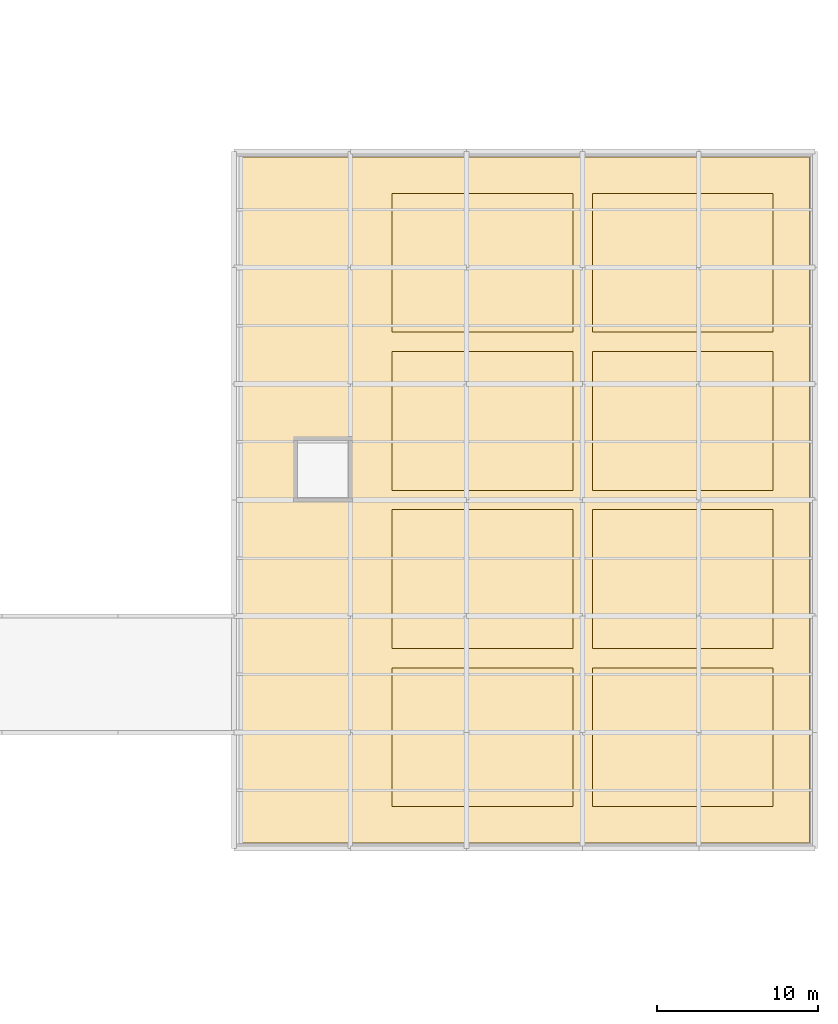
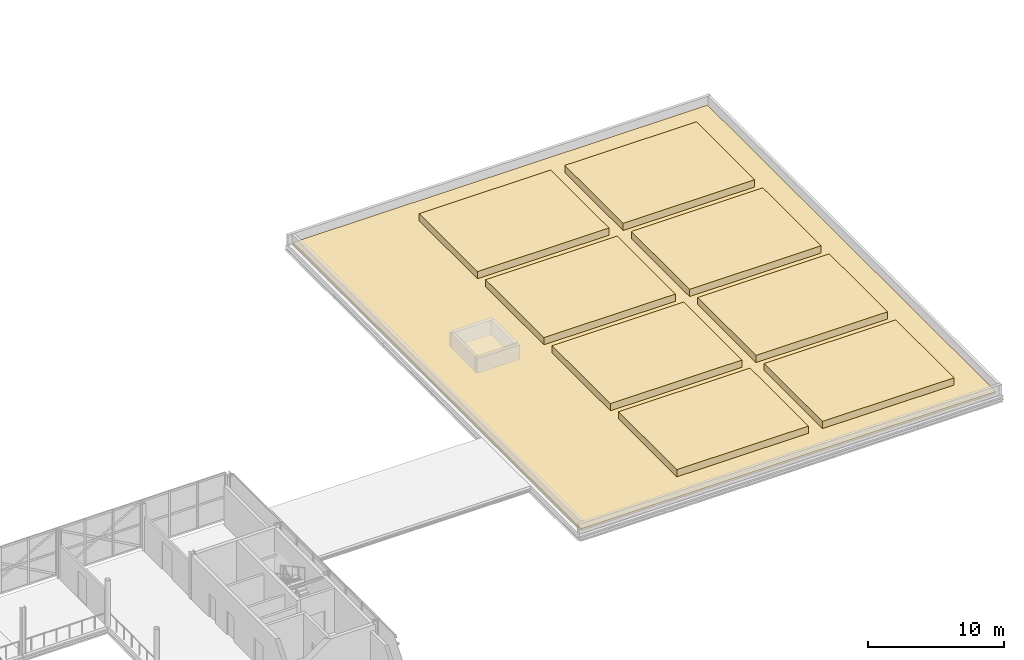
# One storey, part 103 of 103: 9 coverings.
"""IFC4 building model written with IfcOpenShell, lengths in metres."""

from ifc_helpers import new_model, si_unit, direction, frame, origin, place, context, subcontext, project, spatial, polyline, outline, extrude, material, layer, layer_set, type_object, element, save


model = new_model("IFC4")

# Units and contexts
model_context = context("Model", 3, precision=1e-05, world=origin(), true_north=direction((0.0, 1.0)))
body_context = subcontext(model_context, "Body", "Model", "MODEL_VIEW")
ifc_project = project(units=[si_unit("LENGTHUNIT", "METRE"), si_unit("AREAUNIT", "SQUARE_METRE"), si_unit("VOLUMEUNIT", "CUBIC_METRE"), si_unit("PLANEANGLEUNIT", "RADIAN"), si_unit("MASSUNIT", "GRAM", prefix="KILO")], contexts=[model_context])

# Site, building, storey
site_placement = place(None, origin())
site = spatial("IfcSite", under=ifc_project, at=site_placement, CompositionType="ELEMENT")
building_placement = place(site_placement, origin())
building = spatial("IfcBuilding", under=site, at=building_placement, Name="Zlatovets Crest Museum", CompositionType="ELEMENT")
storey_placement = place(building_placement, frame((0.0, 0.0, 12.89990234375)))
storey = spatial("IfcBuildingStorey", under=building, at=storey_placement, Name="L03", CompositionType="ELEMENT", Elevation=12.89990234375)

# Coverings
ifc_material = material(Name="Planted sedum and perennial roof-garden substrate")
ifc_layer = layer(ifc_material, 0.179931640625)
ifc_layer_set = layer_set([ifc_layer], Name="Planted sedum and perennial roof-garden substrate")
covering_type = type_object("IfcCoveringType", Name="RoofCov_Garden", PredefinedType="ROOFING", material=ifc_layer_set)
covering_1_placement = place(storey_placement, frame((0.0, 0.0, 0.18017578125)))
element("IfcCovering", 1, at=covering_1_placement, inside=storey, type_object=covering_type, Name="V5S Raised Botanical Roof-Garden Parterre", PredefinedType="ROOFING", context=body_context, shape_type="SweptSolid", body=[
    extrude(outline(polyline([(139.39990234375, 17.0), (150.60009765625, 17.0), (150.60009765625, 25.60009765625), (139.39990234375, 25.60009765625), (139.39990234375, 17.0)])), origin(), (0.0, 0.0, 1.0), 0.64990234375),
])
covering_2_placement = place(storey_placement, frame((0.0, 0.0, 0.18017578125)))
element("IfcCovering", 2, at=covering_2_placement, inside=storey, type_object=covering_type, Name="V5S Raised Botanical Roof-Garden Parterre", PredefinedType="ROOFING", context=body_context, shape_type="SweptSolid", body=[
    extrude(outline(polyline([(139.39990234375, 26.800048828125), (150.60009765625, 26.800048828125), (150.60009765625, 35.39990234375), (139.39990234375, 35.39990234375), (139.39990234375, 26.800048828125)])), origin(), (0.0, 0.0, 1.0), 0.64990234375),
])
covering_3_placement = place(storey_placement, frame((0.0, 0.0, 0.18017578125)))
element("IfcCovering", 3, at=covering_3_placement, inside=storey, type_object=covering_type, Name="V5S Raised Botanical Roof-Garden Parterre", PredefinedType="ROOFING", context=body_context, shape_type="SweptSolid", body=[
    extrude(outline(polyline([(139.39990234375, 36.60009765625), (150.60009765625, 36.60009765625), (150.60009765625, 45.199951171875), (139.39990234375, 45.199951171875), (139.39990234375, 36.60009765625)])), origin(), (0.0, 0.0, 1.0), 0.64990234375),
])
covering_4_placement = place(storey_placement, frame((0.0, 0.0, 0.18017578125)))
element("IfcCovering", 4, at=covering_4_placement, inside=storey, type_object=covering_type, Name="V5S Raised Botanical Roof-Garden Parterre", PredefinedType="ROOFING", context=body_context, shape_type="SweptSolid", body=[
    extrude(outline(polyline([(139.39990234375, 46.39990234375), (150.60009765625, 46.39990234375), (150.60009765625, 55.0), (139.39990234375, 55.0), (139.39990234375, 46.39990234375)])), origin(), (0.0, 0.0, 1.0), 0.64990234375),
])
covering_5_placement = place(storey_placement, frame((0.0, 0.0, 0.18017578125)))
element("IfcCovering", 5, at=covering_5_placement, inside=storey, type_object=covering_type, Name="V5S Raised Botanical Roof-Garden Parterre", PredefinedType="ROOFING", context=body_context, shape_type="SweptSolid", body=[
    extrude(outline(polyline([(151.800048828125, 17.0), (163.0, 17.0), (163.0, 25.60009765625), (151.800048828125, 25.60009765625), (151.800048828125, 17.0)])), origin(), (0.0, 0.0, 1.0), 0.64990234375),
])
covering_6_placement = place(storey_placement, frame((0.0, 0.0, 0.18017578125)))
element("IfcCovering", 6, at=covering_6_placement, inside=storey, type_object=covering_type, Name="V5S Raised Botanical Roof-Garden Parterre", PredefinedType="ROOFING", context=body_context, shape_type="SweptSolid", body=[
    extrude(outline(polyline([(151.800048828125, 26.800048828125), (163.0, 26.800048828125), (163.0, 35.39990234375), (151.800048828125, 35.39990234375), (151.800048828125, 26.800048828125)])), origin(), (0.0, 0.0, 1.0), 0.64990234375),
])
covering_7_placement = place(storey_placement, frame((0.0, 0.0, 0.18017578125)))
element("IfcCovering", 7, at=covering_7_placement, inside=storey, type_object=covering_type, Name="V5S Raised Botanical Roof-Garden Parterre", PredefinedType="ROOFING", context=body_context, shape_type="SweptSolid", body=[
    extrude(outline(polyline([(151.800048828125, 36.60009765625), (163.0, 36.60009765625), (163.0, 45.199951171875), (151.800048828125, 45.199951171875), (151.800048828125, 36.60009765625)])), origin(), (0.0, 0.0, 1.0), 0.64990234375),
])
covering_8_placement = place(storey_placement, frame((0.0, 0.0, 0.18017578125)))
element("IfcCovering", 8, at=covering_8_placement, inside=storey, type_object=covering_type, Name="V5S Raised Botanical Roof-Garden Parterre", PredefinedType="ROOFING", context=body_context, shape_type="SweptSolid", body=[
    extrude(outline(polyline([(151.800048828125, 46.39990234375), (163.0, 46.39990234375), (163.0, 55.0), (151.800048828125, 55.0), (151.800048828125, 46.39990234375)])), origin(), (0.0, 0.0, 1.0), 0.64990234375),
])
covering_9_placement = place(storey_placement, origin())
element("IfcCovering", 9, at=covering_9_placement, inside=storey, type_object=covering_type, Name="V5S L03 Planted Sedum Green Roof", PredefinedType="ROOFING", context=body_context, shape_type="SweptSolid", body=[
    extrude(outline(polyline([(165.25, 14.75), (165.25, 57.25), (129.949951171875, 57.25), (129.949951171875, 14.75), (165.25, 14.75)])), origin(), (0.0, 0.0, 1.0), 0.18017578125),
])

save(model, "model.ifc")
